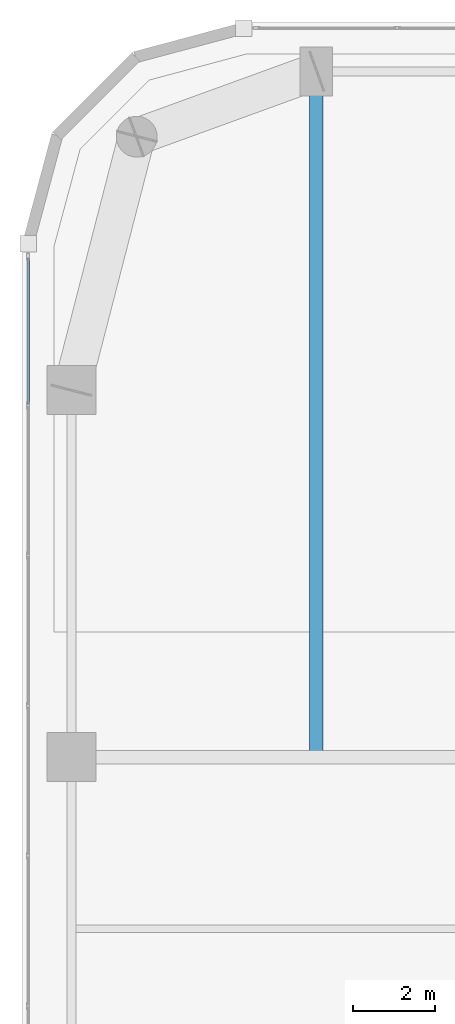
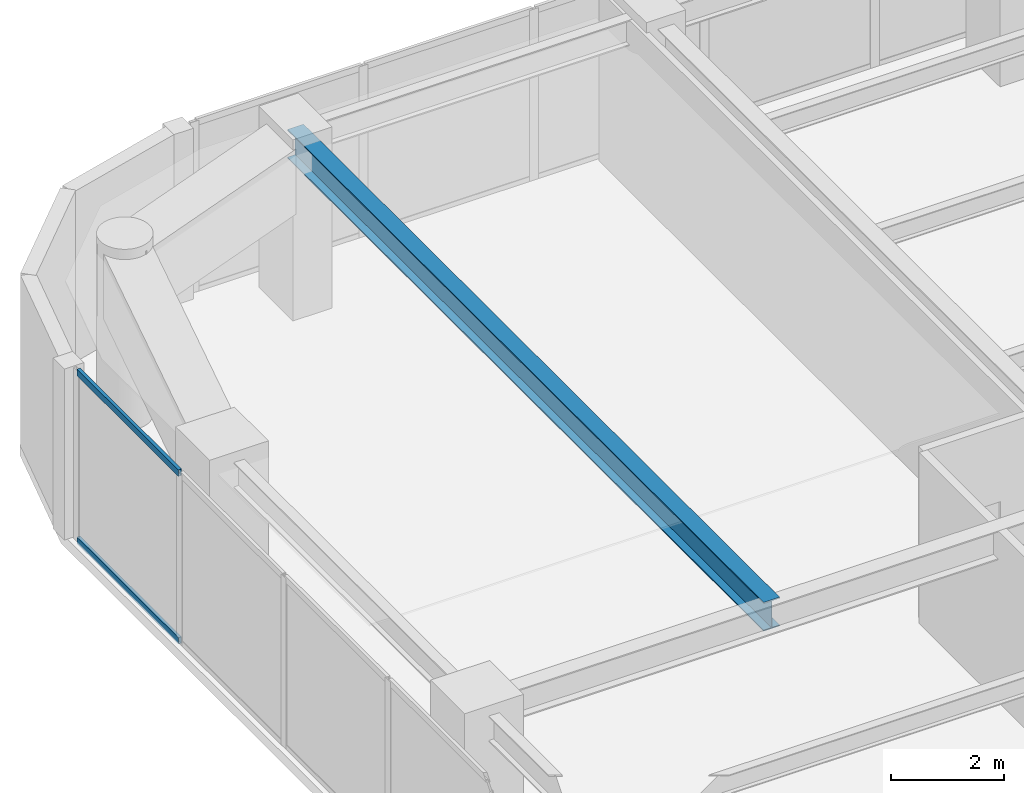
# One storey, part 14 of 30: 2 members, 1 beam, 1 element without a shape of its own.
"""IFC4 building model written with IfcOpenShell, lengths in metres."""

from ifc_helpers import new_model, si_unit, direction, frame, origin, origin_2d, place, context, subcontext, project, spatial, hollow_rectangle, i_section, extrude, material, layer, layer_set, material_profile, profile_set, type_object, element, aggregate, save


model = new_model("IFC4")

# Units and contexts
model_context = context("Model", 3, precision=1e-05, world=origin(), true_north=direction((0.0, 1.0)))
body_context = subcontext(model_context, "Body", "Model", "MODEL_VIEW")
ifc_project = project(units=[si_unit("LENGTHUNIT", "METRE"), si_unit("AREAUNIT", "SQUARE_METRE"), si_unit("VOLUMEUNIT", "CUBIC_METRE"), si_unit("PLANEANGLEUNIT", "RADIAN"), si_unit("MASSUNIT", "GRAM", prefix="KILO")], contexts=[model_context])

# Site, building, storey
site_placement = place(None, origin())
site = spatial("IfcSite", under=ifc_project, at=site_placement, CompositionType="ELEMENT")
building_placement = place(site_placement, origin())
building = spatial("IfcBuilding", under=site, at=building_placement, Name="Kiyonajd Concourse Tower", CompositionType="ELEMENT")
storey_placement = place(building_placement, frame((0.0, 0.0, 166.199951171875)))
storey = spatial("IfcBuildingStorey", under=building, at=storey_placement, Name="L42", CompositionType="ELEMENT", Elevation=166.199951171875)

# Beam
ifc_material_1 = material(Name="Steel ASTM A992 Grade 50", Category="steel")
ifc_material_profile_1 = material_profile(ifc_material_1, i_section(OverallWidth=0.326904296875, OverallDepth=0.6220703125, WebThickness=0.015380859375, FlangeThickness=0.0244140625, at=origin_2d()), Name="W610X195")
ifc_profile_set_1 = profile_set([ifc_material_profile_1], Name="Steel ASTM A992 Grade 50")
beam_type = type_object("IfcBeamType", Name="BM-TWR-610A", PredefinedType="BEAM", material=ifc_profile_set_1)
beam_placement = place(storey_placement, frame((25.199951171875, 44.39990234375, 3.369140625), z_axis=(0.0, 1.0, 0.0), x_axis=(-1.0, 0.0, 0.0)))
element("IfcBeam", 1, at=beam_placement, inside=storey, type_object=beam_type, Name="L42 North Lease Girder", PredefinedType="BEAM", context=body_context, shape_type="SweptSolid", body=[
    extrude(i_section(OverallWidth=0.326904296875, OverallDepth=0.6220703125, WebThickness=0.015380859375, FlangeThickness=0.0244140625, at=origin_2d()), origin(), (0.0, 0.0, 1.0), 16.800048828125),
])

# Curtain wall, members
ifc_material_2 = material(Name="Thermally Broken Anodised Aluminium", Category="aluminium")
ifc_layer = layer(ifc_material_2, 0.179931640625)
ifc_layer_set = layer_set([ifc_layer], Name="Thermally Broken Anodised Aluminium")
curtain_wall_type = type_object("IfcCurtainWallType", Name="CW-SYS-03", PredefinedType="NOTDEFINED", material=ifc_layer_set)
curtain_wall_placement = place(storey_placement, origin())
curtain_wall = element("IfcCurtainWall", 2, at=curtain_wall_placement, inside=storey, type_object=curtain_wall_type, Name="L42 Unitised Curtain Wall CW3", PredefinedType="NOTDEFINED")
ifc_material_profile_2 = material_profile(ifc_material_2, hollow_rectangle(XDim=0.06494140625, YDim=0.139892578125, WallThickness=0.00390625, at=origin_2d()), Name="TRAN-65x140")
ifc_profile_set_2 = profile_set([ifc_material_profile_2], Name="Thermally Broken Anodised Aluminium")
member_type = type_object("IfcMemberType", Name="MB-CW-TRAN1", PredefinedType="USERDEFINED", material=ifc_profile_set_2)
member_1_placement = place(storey_placement, frame((18.139892578125, 53.047119140625, 0.032470703125), z_axis=(0.0, 1.0, 0.0), x_axis=(-1.0, 0.0, 0.0)))
member_1 = element("IfcMember", 3, at=member_1_placement, type_object=member_type, Name="CW3 transom 6.1", ObjectType="TRANSOM", PredefinedType="USERDEFINED", context=body_context, shape_type="SweptSolid", body=[
    extrude(hollow_rectangle(XDim=0.06494140625, YDim=0.139892578125, WallThickness=0.00390625, at=origin_2d()), origin(), (0.0, 0.0, 1.0), 3.57958984375),
])
member_2_placement = place(storey_placement, frame((18.139892578125, 53.047119140625, 3.6474609375), z_axis=(0.0, 1.0, 0.0), x_axis=(-1.0, 0.0, 0.0)))
member_2 = element("IfcMember", 4, at=member_2_placement, type_object=member_type, Name="CW3 transom 6.2", ObjectType="TRANSOM", PredefinedType="USERDEFINED", context=body_context, shape_type="SweptSolid", body=[
    extrude(hollow_rectangle(XDim=0.06494140625, YDim=0.139892578125, WallThickness=0.00390625, at=origin_2d()), origin(), (0.0, 0.0, 1.0), 3.57958984375),
])
aggregate(curtain_wall, [member_1, member_2])

save(model, "model.ifc")
